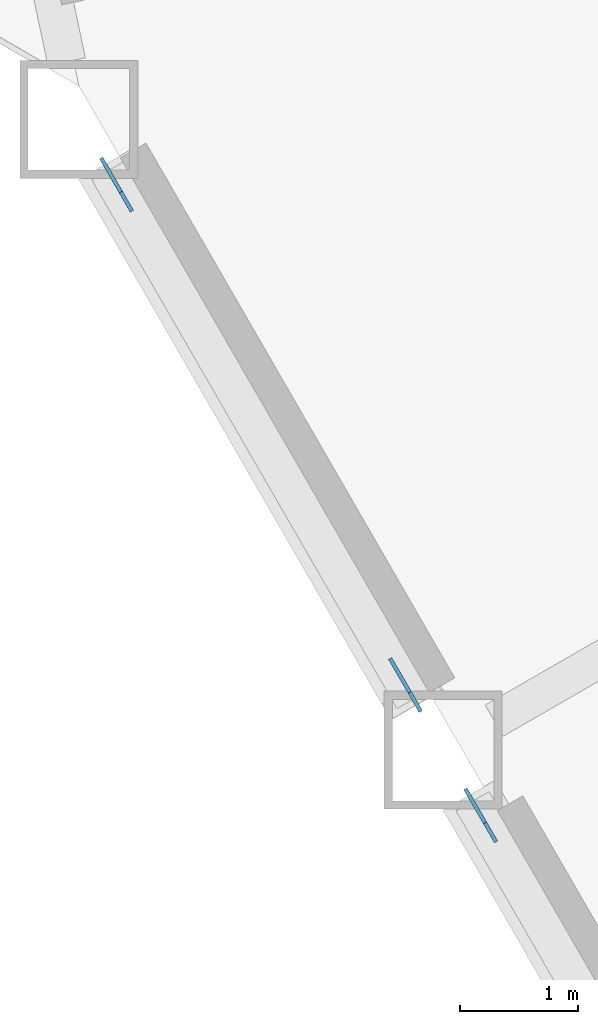
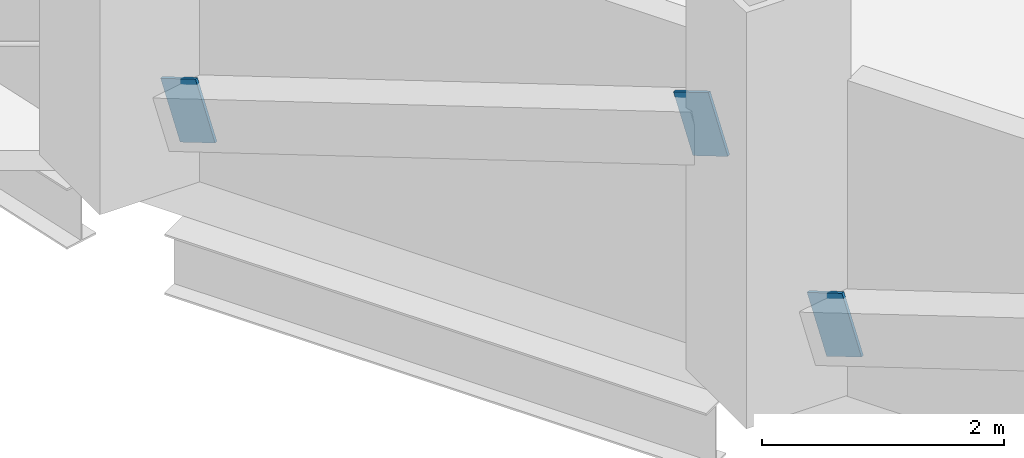
# One storey, part 14 of 21: 3 discrete accessories.
"""IFC4 building model written with IfcOpenShell, lengths in metres."""

from ifc_helpers import new_model, si_unit, direction, frame, origin, origin_2d, place, context, subcontext, project, spatial, rectangle, extrude, material, material_profile, profile_set, type_object, element, save


model = new_model("IFC4")

# Units and contexts
model_context = context("Model", 3, precision=1e-05, world=origin(), true_north=direction((0.0, 1.0)))
body_context = subcontext(model_context, "Body", "Model", "MODEL_VIEW")
ifc_project = project(units=[si_unit("LENGTHUNIT", "METRE"), si_unit("AREAUNIT", "SQUARE_METRE"), si_unit("VOLUMEUNIT", "CUBIC_METRE"), si_unit("PLANEANGLEUNIT", "RADIAN"), si_unit("MASSUNIT", "GRAM", prefix="KILO")], contexts=[model_context])

# Site, building, storey
site_placement = place(None, origin())
site = spatial("IfcSite", under=ifc_project, at=site_placement, CompositionType="ELEMENT")
building_placement = place(site_placement, origin())
building = spatial("IfcBuilding", under=site, at=building_placement, Name="Cormorant Prow Tower", CompositionType="ELEMENT")
storey_placement = place(building_placement, frame((0.0, 0.0, 72.0)))
storey = spatial("IfcBuildingStorey", under=building, at=storey_placement, Name="L15", CompositionType="ELEMENT", Elevation=72.0)

# Discrete accessories
ifc_material = material(Name="Structural steel ASTM A500 Gr C", Category="steel")
ifc_material_profile = material_profile(ifc_material, rectangle(XDim=0.031982421875, YDim=0.60791015625, at=origin_2d()), Name="Gusset plate 32x608")
ifc_profile_set = profile_set([ifc_material_profile], Name="Structural steel ASTM A500 Gr C")
discrete_accessory_type = type_object("IfcDiscreteAccessoryType", Name="Gusset plate 32x608", PredefinedType="BRACKET", material=ifc_profile_set)
discrete_accessory_placement = place(storey_placement, frame((-30.597900390625, -11.47021484375, 0.859375), z_axis=(-0.475651503409, 0.824369614413, -0.306871937683), x_axis=(-0.866161185697, -0.499764745047, 0.0)))
element("IfcDiscreteAccessory", 1, at=discrete_accessory_placement, inside=storey, type_object=discrete_accessory_type, Name="Gusset plate GP1 L15.WSW00.g0", PredefinedType="BRACKET", context=body_context, shape_type="SweptSolid", body=[
    extrude(rectangle(XDim=0.031982421875, YDim=0.60791015625, at=origin_2d()), origin(), (0.0, 0.0, 1.0), 0.35009765625),
])
for number, where, z_axis, x_axis, name in (
    (2, (-28.3173828125, -15.42041015625, 2.32958984375), (0.476464602218, -0.823872174553, 0.306946449452), (0.865660382551, 0.500631703033, 0.0), "Gusset plate GP1 L15.WSW00.g1"),
    (3, (-27.512939453125, -16.813232421875, 0.859375), (-0.476464602218, 0.823872174553, -0.306946449452), (-0.865660382551, -0.500631703033, 0.0), "Gusset plate GP1 L15.WSW01.g0"),
):
    element("IfcDiscreteAccessory", number, at=place(storey_placement, frame(where, z_axis=z_axis, x_axis=x_axis)), inside=storey, type_object=discrete_accessory_type, Name=name, PredefinedType="BRACKET", context=body_context, shape_type="SweptSolid", body=[
        extrude(rectangle(XDim=0.031982421875, YDim=0.60791015625, at=origin_2d()), origin(), (0.0, 0.0, 1.0), 0.349853515625),
    ])

save(model, "model.ifc")
